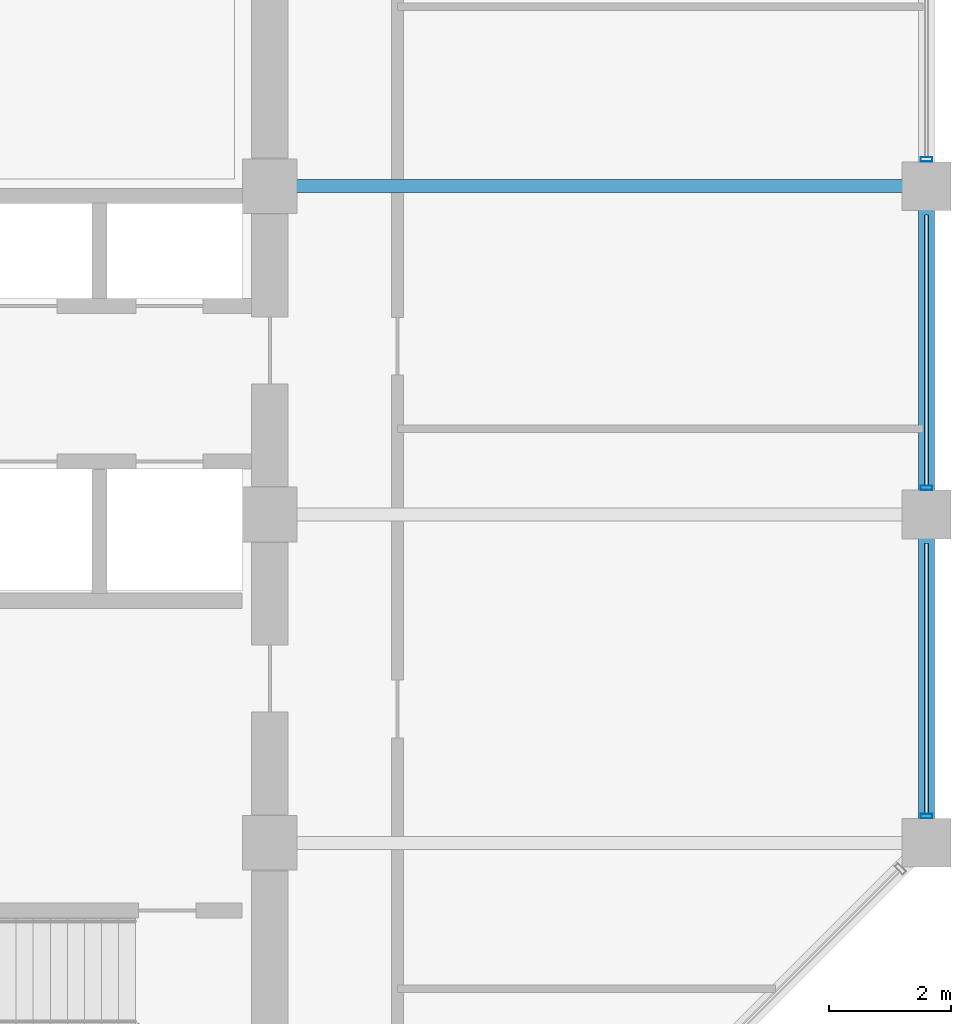
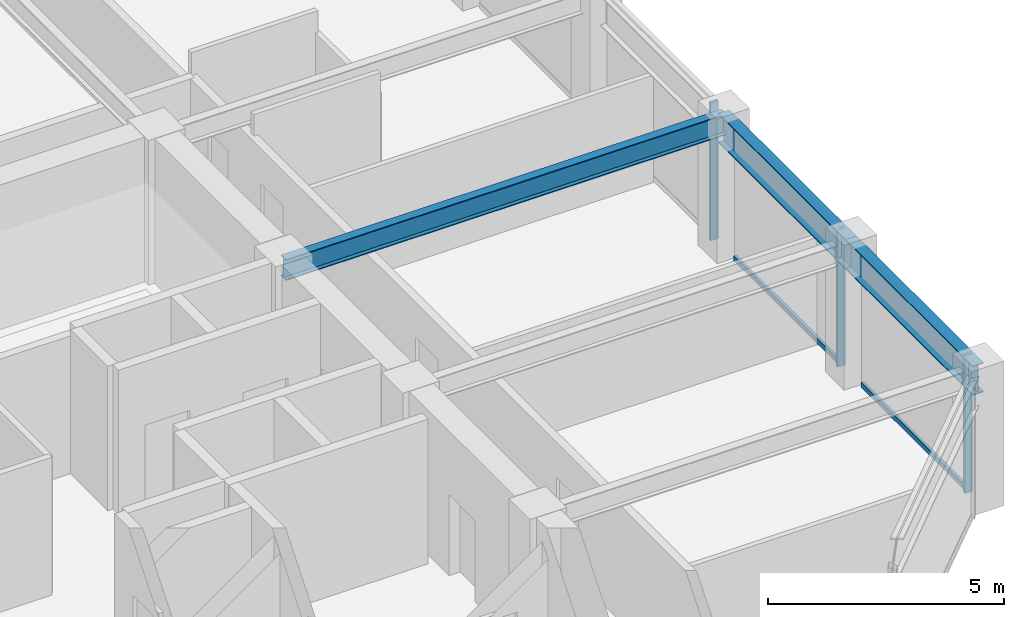
# One storey, part 14 of 32: 5 members, 3 beams, 1 element without a shape of its own.
"""IFC4 building model written with IfcOpenShell, lengths in metres."""

from ifc_helpers import new_model, si_unit, direction, frame, origin, origin_2d, place, context, subcontext, project, spatial, hollow_rectangle, i_section, extrude, material, layer, layer_set, material_profile, profile_set, type_object, element, aggregate, save


model = new_model("IFC4")

# Units and contexts
model_context = context("Model", 3, precision=1e-05, world=origin(), true_north=direction((0.0, 1.0)))
body_context = subcontext(model_context, "Body", "Model", "MODEL_VIEW")
ifc_project = project(units=[si_unit("LENGTHUNIT", "METRE"), si_unit("AREAUNIT", "SQUARE_METRE"), si_unit("VOLUMEUNIT", "CUBIC_METRE"), si_unit("PLANEANGLEUNIT", "RADIAN"), si_unit("MASSUNIT", "GRAM", prefix="KILO")], contexts=[model_context])

# Site, building, storey
site_placement = place(None, origin())
site = spatial("IfcSite", under=ifc_project, at=site_placement, CompositionType="ELEMENT")
building_placement = place(site_placement, origin())
building = spatial("IfcBuilding", under=site, at=building_placement, Name="Surkhivell Harbour Commons", CompositionType="ELEMENT")
storey_placement = place(building_placement, frame((0.0, 0.0, 216.0)))
storey = spatial("IfcBuildingStorey", under=building, at=storey_placement, Name="L56", CompositionType="ELEMENT", Elevation=216.0)

# Beams
ifc_material_1 = material(Name="Steel S355", Category="steel")
ifc_material_profile_1 = material_profile(ifc_material_1, i_section(OverallWidth=0.2119140625, OverallDepth=0.5439453125, WebThickness=0.0126953125, FlangeThickness=0.021240234375, at=origin_2d()), Name="UB533x210x122")
ifc_profile_set_1 = profile_set([ifc_material_profile_1], Name="Steel S355")
beam_type_1 = type_object("IfcBeamType", Name="BM-GRD-533A", PredefinedType="BEAM", material=ifc_profile_set_1)
beam_placement = place(storey_placement, frame((10.800048828125, 5.39990234375, 3.298095703125), z_axis=(1.0, 0.0, 0.0), x_axis=(0.0, 1.0, 0.0)))
element("IfcBeam", 1, at=beam_placement, inside=storey, type_object=beam_type_1, Name="L56 Floor Girder (10.8,5.4)", PredefinedType="BEAM", context=body_context, shape_type="SweptSolid", body=[
    extrude(i_section(OverallWidth=0.2119140625, OverallDepth=0.5439453125, WebThickness=0.0126953125, FlangeThickness=0.021240234375, at=origin_2d()), origin(), (0.0, 0.0, 1.0), 10.800048828125),
])
ifc_material_profile_2 = material_profile(ifc_material_1, i_section(OverallWidth=0.26806640625, OverallDepth=0.77001953125, WebThickness=0.015625, FlangeThickness=0.025390625, at=origin_2d()), Name="UB762x267x197")
ifc_profile_set_2 = profile_set([ifc_material_profile_2], Name="Steel S355")
beam_type_2 = type_object("IfcBeamType", Name="BM-SPN-762", PredefinedType="SPANDREL", material=ifc_profile_set_2)
for number, where, z_axis, x_axis, name in (
    (2, (21.60009765625, -5.39990234375, 3.18505859375), (0.0, 1.0, 0.0), (-1.0, 0.0, 0.0), "L56 Tube Spandrel (21.6,-5.4)"),
    (3, (21.60009765625, 0.0, 3.18505859375), (0.0, 1.0, 0.0), (-1.0, 0.0, 0.0), "L56 Tube Spandrel (21.6,0.0)"),
):
    element("IfcBeam", number, at=place(storey_placement, frame(where, z_axis=z_axis, x_axis=x_axis)), inside=storey, type_object=beam_type_2, Name=name, PredefinedType="SPANDREL", context=body_context, shape_type="SweptSolid", body=[
        extrude(i_section(OverallWidth=0.26806640625, OverallDepth=0.77001953125, WebThickness=0.015625, FlangeThickness=0.025390625, at=origin_2d()), origin(), (0.0, 0.0, 1.0), 5.39990234375),
    ])

# Curtain wall, members
ifc_material_2 = material(Name="Anodised pale-metal aluminium and insulated glazing", Category="aluminium")
ifc_layer = layer(ifc_material_2, 0.18994140625)
ifc_layer_set = layer_set([ifc_layer], Name="Anodised pale-metal aluminium and insulated glazing")
curtain_wall_type = type_object("IfcCurtainWallType", Name="CW-SYS-Z3", PredefinedType="NOTDEFINED", material=ifc_layer_set)
curtain_wall_placement = place(storey_placement, origin())
curtain_wall = element("IfcCurtainWall", 4, at=curtain_wall_placement, inside=storey, type_object=curtain_wall_type, Name="L56 Curtain Wall CW-L56-E02", PredefinedType="NOTDEFINED")
ifc_material_3 = material(Name="Anodised pale-metal aluminium alloy 6063-T6", Category="aluminium")
ifc_material_profile_3 = material_profile(ifc_material_3, hollow_rectangle(XDim=0.074951171875, YDim=0.18994140625, WallThickness=0.00390625, at=origin_2d()), Name="ALU-MULL-75x190")
ifc_profile_set_3 = profile_set([ifc_material_profile_3], Name="Anodised pale-metal aluminium alloy 6063-T6")
member_type_1 = type_object("IfcMemberType", Name="CWM-190", PredefinedType="MULLION", material=ifc_profile_set_3)
member_1_placement = place(storey_placement, frame((21.60009765625, -4.96044921875, 0.0), z_axis=(0.0, 0.0, 1.0), x_axis=(0.0, 1.0, 0.0)))
member_1 = element("IfcMember", 5, at=member_1_placement, type_object=member_type_1, Name="CW-Z3 mullion 1", PredefinedType="MULLION", context=body_context, shape_type="SweptSolid", body=[
    extrude(hollow_rectangle(XDim=0.074951171875, YDim=0.18994140625, WallThickness=0.00390625, at=origin_2d()), origin(), (0.0, 0.0, 1.0), 3.570068359375),
])
member_2_placement = place(storey_placement, frame((21.60009765625, 0.439453125, 0.0), z_axis=(0.0, 0.0, 1.0), x_axis=(0.0, 1.0, 0.0)))
member_2 = element("IfcMember", 6, at=member_2_placement, type_object=member_type_1, Name="CW-Z3 mullion 2", PredefinedType="MULLION", context=body_context, shape_type="SweptSolid", body=[
    extrude(hollow_rectangle(XDim=0.074951171875, YDim=0.18994140625, WallThickness=0.00390625, at=origin_2d()), origin(), (0.0, 0.0, 1.0), 3.570068359375),
])
member_3_placement = place(storey_placement, frame((21.60009765625, 5.839599609375, 0.0), z_axis=(0.0, 0.0, 1.0), x_axis=(0.0, 1.0, 0.0)))
member_3 = element("IfcMember", 7, at=member_3_placement, type_object=member_type_1, Name="CW-Z3 mullion 3", PredefinedType="MULLION", context=body_context, shape_type="SweptSolid", body=[
    extrude(hollow_rectangle(XDim=0.074951171875, YDim=0.18994140625, WallThickness=0.00390625, at=origin_2d()), origin(), (0.0, 0.0, 1.0), 3.570068359375),
])
ifc_material_4 = material(Name="Champagne anodised aluminium alloy 6063-T6", Category="aluminium")
ifc_material_profile_4 = material_profile(ifc_material_4, hollow_rectangle(XDim=0.070068359375, YDim=0.1298828125, WallThickness=0.00341796875, at=origin_2d()), Name="ALU-TRAN-70x130")
ifc_profile_set_4 = profile_set([ifc_material_profile_4], Name="Champagne anodised aluminium alloy 6063-T6")
member_type_2 = type_object("IfcMemberType", Name="CWT-130", PredefinedType="USERDEFINED", material=ifc_profile_set_4)
member_4_placement = place(storey_placement, frame((21.60009765625, -4.923095703125, 0.06494140625), z_axis=(0.0, 1.0, 0.0), x_axis=(-1.0, 0.0, 0.0)))
member_4 = element("IfcMember", 8, at=member_4_placement, type_object=member_type_2, Name="CW-Z3 transom 1.1", ObjectType="TRANSOM", PredefinedType="USERDEFINED", context=body_context, shape_type="SweptSolid", body=[
    extrude(hollow_rectangle(XDim=0.070068359375, YDim=0.1298828125, WallThickness=0.00341796875, at=origin_2d()), origin(), (0.0, 0.0, 1.0), 4.446044921875),
])
member_5_placement = place(storey_placement, frame((21.60009765625, 0.47705078125, 0.06494140625), z_axis=(0.0, 1.0, 0.0), x_axis=(-1.0, 0.0, 0.0)))
member_5 = element("IfcMember", 9, at=member_5_placement, type_object=member_type_2, Name="CW-Z3 transom 2.1", ObjectType="TRANSOM", PredefinedType="USERDEFINED", context=body_context, shape_type="SweptSolid", body=[
    extrude(hollow_rectangle(XDim=0.070068359375, YDim=0.1298828125, WallThickness=0.00341796875, at=origin_2d()), origin(), (0.0, 0.0, 1.0), 4.446044921875),
])
aggregate(curtain_wall, [member_1, member_4, member_2, member_5, member_3])

save(model, "model.ifc")
